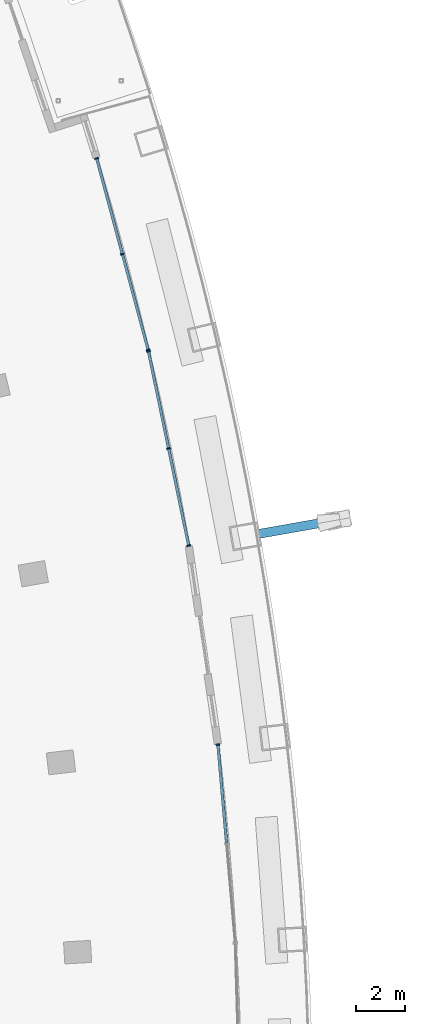
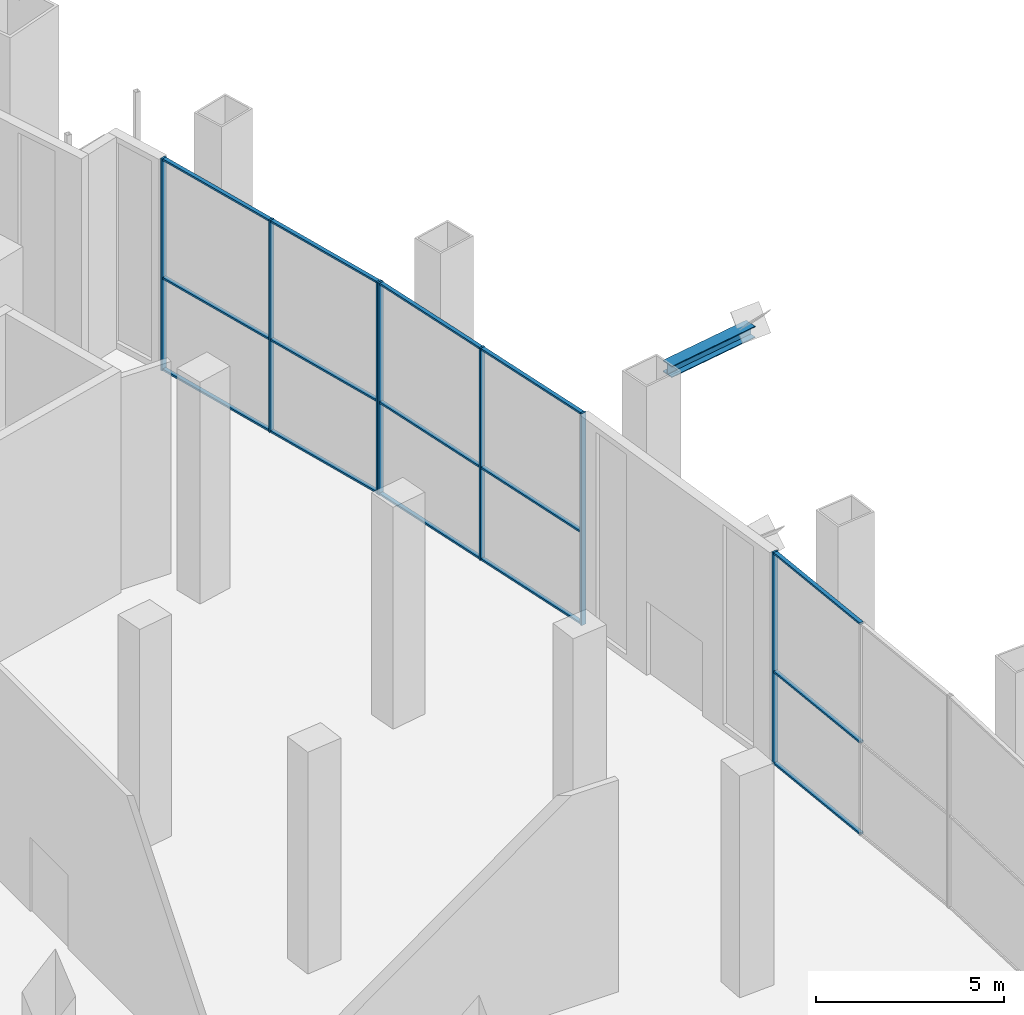
# One storey, part 13 of 27: 23 members, 3 elements without a shape of their own.
"""IFC4 building model written with IfcOpenShell, lengths in metres."""

import ifcopenshell
import ifcopenshell.guid

model = None  # the IFC model being written
_history = None  # IfcOwnerHistory: only IFC2X3 demands one
_inside = {}  # id of a spatial element -> (the spatial element, [elements in it])
_under = {}  # id of a project, library or spatial element -> (it, [spatial elements below it])
_declared = {}  # id of a project -> (the project, [libraries it declares])
_typed = {}  # id of a type object -> (the type object, [elements of that type])
_made_of = {}  # id of a material, layer set ... -> (it, [elements and type objects made of it])


def new_model(schema):
    """Start an empty IFC model of exactly this schema.

    Asked for "IFC4X3", IfcOpenShell would pick the latest addendum, in which some entities
    have other attributes; the version numbers below select the first issue.
    IFC2X3 requires an IfcOwnerHistory on every rooted entity: one is made here for all.
    """
    global model, _history
    if schema == "IFC4X3":
        model = ifcopenshell.file(schema_version=(4, 3, 0, 0))
    else:
        model = ifcopenshell.file(schema=schema)
    _inside.clear()
    _under.clear()
    _declared.clear()
    _typed.clear()
    _made_of.clear()
    _history = None
    if model.schema == "IFC2X3":
        org = make("IfcOrganization", Name="unknown")
        user = make(
            "IfcPersonAndOrganization",
            ThePerson=make("IfcPerson", FamilyName="unknown"),
            TheOrganization=org,
        )
        app = make(
            "IfcApplication",
            ApplicationDeveloper=org,
            Version="unknown",
            ApplicationFullName="unknown",
            ApplicationIdentifier="unknown",
        )
        _history = make(
            "IfcOwnerHistory",
            OwningUser=user,
            OwningApplication=app,
            ChangeAction="ADDED",
            CreationDate=0,
        )
    return model


def make(cls, **values):
    """One entity of the class cls with the attributes given. An attribute that is None is left unset."""
    return model.create_entity(
        cls, **{name: value for name, value in values.items() if value is not None}
    )


def rooted(cls, **values):
    """An entity with a GlobalId (a new one), such as an element, a storey or a relation."""
    return make(cls, GlobalId=ifcopenshell.guid.new(), OwnerHistory=_history, **values)


def si_unit(unit_type, name, prefix=None):
    """IfcSIUnit, for example si_unit("LENGTHUNIT", "METRE", prefix="MILLI")."""
    return make("IfcSIUnit", UnitType=unit_type, Prefix=prefix, Name=name)


def assignment(units):
    """IfcUnitAssignment: the units of a project."""
    return None if units is None else make("IfcUnitAssignment", Units=units)


def point(xyz):
    """IfcCartesianPoint."""
    return None if xyz is None else make("IfcCartesianPoint", Coordinates=xyz)


def direction(xyz):
    """IfcDirection."""
    return None if xyz is None else make("IfcDirection", DirectionRatios=xyz)


def frame(location, z_axis=None, x_axis=None):
    """IfcAxis2Placement3D, a coordinate frame: its origin and axes. An axis left out is left unset."""
    return make(
        "IfcAxis2Placement3D",
        Location=point(location),
        Axis=direction(z_axis),
        RefDirection=direction(x_axis),
    )


def frame_2d(location, x_axis=None):
    """IfcAxis2Placement2D, a coordinate frame in the plane: its origin and x axis."""
    return make(
        "IfcAxis2Placement2D", Location=point(location), RefDirection=direction(x_axis)
    )


def origin():
    """The frame at (0, 0, 0) with its axes left unset."""
    return frame((0.0, 0.0, 0.0))


def origin_2d():
    """The frame at (0, 0) in the plane with its x axis left unset."""
    return frame_2d((0.0, 0.0))


def place(relative_to, where):
    """IfcLocalPlacement: puts the frame where relative to a parent placement (None: the world)."""
    return make(
        "IfcLocalPlacement", PlacementRelTo=relative_to, RelativePlacement=where
    )


def context(
    kind, dimensions, precision=None, world=None, true_north=None, identifier=None
):
    """IfcGeometricRepresentationContext, for example the 3D "Model" context."""
    return make(
        "IfcGeometricRepresentationContext",
        ContextIdentifier=identifier,
        ContextType=kind,
        CoordinateSpaceDimension=dimensions,
        Precision=precision,
        WorldCoordinateSystem=world,
        TrueNorth=true_north,
    )


def subcontext(parent, identifier, kind, view, scale=None):
    """IfcGeometricRepresentationSubContext, for example "Body" below "Model"."""
    return make(
        "IfcGeometricRepresentationSubContext",
        ContextIdentifier=identifier,
        ContextType=kind,
        ParentContext=parent,
        TargetScale=scale,
        TargetView=view,
    )


def project(units=None, contexts=None):
    """IfcProject with its units and contexts."""
    return rooted(
        "IfcProject",
        Name="project",
        RepresentationContexts=contexts,
        UnitsInContext=assignment(units),
    )


def spatial(cls, under=None, at=None, **own):
    """A site, building, storey or space (cls), placed at a placement, below another one or the project."""
    s = rooted(cls, ObjectPlacement=at, **own)
    if under is not None:
        _under.setdefault(under.id(), (under, []))[1].append(s)
    return s


def profile(cls, at=None, kind="AREA", **sizes):
    """A parametric profile (cls). Its sizes go by their IFC names, for example OverallWidth=200.0."""
    return make(cls, ProfileType=kind, Position=at, **sizes)


def rectangle(**sizes):
    """IfcRectangleProfileDef."""
    return profile("IfcRectangleProfileDef", **sizes)


def i_section(**sizes):
    """IfcIShapeProfileDef."""
    return profile("IfcIShapeProfileDef", **sizes)


def extrude(swept, where, along, depth):
    """IfcExtrudedAreaSolid: the profile swept, set in the frame where, extruded along a direction by depth."""
    return make(
        "IfcExtrudedAreaSolid",
        SweptArea=swept,
        Position=where,
        ExtrudedDirection=direction(along),
        Depth=depth,
    )


def shape(context_of_items, identifier, shape_type, items):
    """IfcShapeRepresentation: the items that make up one representation, for example the "Body"."""
    return make(
        "IfcShapeRepresentation",
        ContextOfItems=context_of_items,
        RepresentationIdentifier=identifier,
        RepresentationType=shape_type,
        Items=items,
    )


def material(Name=None, Category=None):
    """IfcMaterial."""
    return make("IfcMaterial", Name=Name, Category=Category)


def layer(
    of_material, thickness, ventilated=None, Name=None, Category=None, Priority=None
):
    """IfcMaterialLayer: one layer of a wall or slab, of a material (None: an air gap)."""
    return make(
        "IfcMaterialLayer",
        Material=of_material,
        LayerThickness=thickness,
        IsVentilated=ventilated,
        Name=Name,
        Category=Category,
        Priority=Priority,
    )


def layer_set(layers, Name=None):
    """IfcMaterialLayerSet."""
    return make("IfcMaterialLayerSet", MaterialLayers=layers, LayerSetName=Name)


def material_profile(
    of_material, cross_section, Name=None, Category=None, Priority=None
):
    """IfcMaterialProfile: a cross section and its material."""
    return make(
        "IfcMaterialProfile",
        Name=Name,
        Material=of_material,
        Profile=cross_section,
        Priority=Priority,
        Category=Category,
    )


def profile_set(profiles, Name=None, composite=None):
    """IfcMaterialProfileSet."""
    return make(
        "IfcMaterialProfileSet",
        Name=Name,
        MaterialProfiles=profiles,
        CompositeProfile=composite,
    )


def made_of(thing, what):
    """Note that an element or type object is made of a material, layer set ...; save() writes the relation."""
    if what is not None:
        _made_of.setdefault(what.id(), (what, []))[1].append(thing)
    return thing


def type_object(cls, material=None, **own):
    """A type object (cls), such as IfcWallType, which elements share."""
    return made_of(rooted(cls, **own), material)


def element(
    cls,
    number,
    at=None,
    inside=None,
    cuts=None,
    type_object=None,
    material=None,
    context=None,
    identifier="Body",
    shape_type=None,
    held_by="IfcProductDefinitionShape",
    body=None,
    shapes=None,
    **own,
):
    """One element of the class cls, such as IfcWall. Its Tag is "e" and its number.

    at: its placement. inside: the storey or other place that contains it. cuts: it is an
    opening in that element (IfcRelVoidsElement). A single representation is given by context,
    identifier, shape_type and body (its items); several are given by shapes. held_by: the class
    of the entity that holds the representations. save() writes the other relations.
    """
    e = rooted(cls, Tag="e%d" % number, ObjectPlacement=at, **own)
    if body is not None:
        shapes = [shape(context, identifier, shape_type, body)]
    if shapes is not None:
        e.Representation = make(held_by, Representations=shapes)
    if inside is not None:
        _inside.setdefault(inside.id(), (inside, []))[1].append(e)
    if cuts is not None:
        rooted(
            "IfcRelVoidsElement", RelatingBuildingElement=cuts, RelatedOpeningElement=e
        )
    if type_object is not None:
        _typed.setdefault(type_object.id(), (type_object, []))[1].append(e)
    return made_of(e, material)


def aggregate(whole, parts):
    """IfcRelAggregates: a whole, such as a stair, and the parts it consists of."""
    return rooted("IfcRelAggregates", RelatingObject=whole, RelatedObjects=parts)


def save(model, path):
    """Write the relations noted so far, then the file.

    IfcRelAggregates (storeys below a building ...), IfcRelContainedInSpatialStructure (elements
    in a storey), IfcRelDefinesByType, IfcRelAssociatesMaterial and IfcRelDeclares: one each for
    every whole, place, type object, material and project.
    """
    for whole, parts in _under.values():
        aggregate(whole, parts)
    for where, things in _inside.values():
        rooted(
            "IfcRelContainedInSpatialStructure",
            RelatedElements=things,
            RelatingStructure=where,
        )
    for kind, things in _typed.values():
        rooted("IfcRelDefinesByType", RelatedObjects=things, RelatingType=kind)
    for what, things in _made_of.values():
        rooted("IfcRelAssociatesMaterial", RelatedObjects=things, RelatingMaterial=what)
    for by, libraries in _declared.values():
        rooted("IfcRelDeclares", RelatingContext=by, RelatedDefinitions=libraries)
    model.write(path)


model = new_model("IFC4")

# Units and contexts
model_context = context("Model", 3, precision=1e-05, world=origin(), true_north=direction((0.0, 1.0)))
body_context = subcontext(model_context, "Body", "Model", "MODEL_VIEW")
ifc_project = project(units=[si_unit("LENGTHUNIT", "METRE"), si_unit("AREAUNIT", "SQUARE_METRE"), si_unit("VOLUMEUNIT", "CUBIC_METRE"), si_unit("PLANEANGLEUNIT", "RADIAN"), si_unit("MASSUNIT", "GRAM", prefix="KILO")], contexts=[model_context])

# Site, building, storey
site_placement = place(None, origin())
site = spatial("IfcSite", under=ifc_project, at=site_placement, CompositionType="ELEMENT")
building_placement = place(site_placement, origin())
building = spatial("IfcBuilding", under=site, at=building_placement, Name="Alderwake Tower", CompositionType="ELEMENT")
storey_placement = place(building_placement, frame((0.0, 0.0, 75.199951171875)))
storey = spatial("IfcBuildingStorey", under=building, at=storey_placement, Name="L18", CompositionType="ELEMENT", Elevation=75.199951171875)

# Member
ifc_material_1 = material(Name="Steel ASTM A992 Grade 50", Category="steel")
ifc_material_profile_1 = material_profile(ifc_material_1, i_section(OverallWidth=0.3740234375, OverallDepth=0.372314453125, WebThickness=0.016357421875, FlangeThickness=0.026123046875, at=origin_2d()), Name="W14X132")
ifc_profile_set_1 = profile_set([ifc_material_profile_1], Name="Steel ASTM A992 Grade 50")
member_type_1 = type_object("IfcMemberType", Name="Brace node stub W14X132", PredefinedType="MEMBER", material=ifc_profile_set_1)
member_1_placement = place(storey_placement, frame((60.569580078125, 85.85400390625, 6.993896484375), z_axis=(0.984737683901, 0.174045091589, 0.0), x_axis=(-0.174045091589, 0.984737683901, 0.0)))
element("IfcMember", 1, at=member_1_placement, inside=storey, type_object=member_type_1, Name="Brace node stub BS.FR10-C5.824", PredefinedType="MEMBER", context=body_context, shape_type="SweptSolid", body=[
    extrude(i_section(OverallWidth=0.3740234375, OverallDepth=0.372314453125, WebThickness=0.016357421875, FlangeThickness=0.026123046875, at=origin_2d()), origin(), (0.0, 0.0, 1.0), 2.895263671875),
])

# Curtain wall, member
ifc_material_2 = material(Name="Bronze tinted glass in aluminium frame", Category="aluminium")
ifc_layer = layer(ifc_material_2, 0.199951171875)
ifc_layer_set = layer_set([ifc_layer], Name="Curtain wall CW3 sky garden glazing")
curtain_wall_type = type_object("IfcCurtainWallType", Name="Curtain wall CW3 sky garden glazing", PredefinedType="NOTDEFINED", material=ifc_layer_set)
curtain_wall_1_placement = place(storey_placement, origin())
curtain_wall_1 = element("IfcCurtainWall", 2, at=curtain_wall_1_placement, inside=storey, type_object=curtain_wall_type, Name="Curtain wall 8", PredefinedType="NOTDEFINED")
ifc_material_3 = material(Name="Aluminium bronze anodised", Category="aluminium")
ifc_material_profile_2 = material_profile(ifc_material_3, rectangle(XDim=0.159912109375, YDim=0.06005859375, at=origin_2d()), Name="Mullion MUC 60x160")
ifc_profile_set_2 = profile_set([ifc_material_profile_2], Name="Aluminium bronze anodised")
member_type_2 = type_object("IfcMemberType", Name="Mullion MUC 60x160", PredefinedType="MULLION", material=ifc_profile_set_2)
member_2_placement = place(storey_placement, frame((58.90185546875, 77.25048828125, 0.0), z_axis=(0.0, 0.0, 1.0), x_axis=(-0.996175004686, -0.087380547254, 0.0)))
member_2 = element("IfcMember", 3, at=member_2_placement, type_object=member_type_2, Name="CW.08 mullion 3", PredefinedType="MULLION", context=body_context, shape_type="SweptSolid", body=[
    extrude(rectangle(XDim=0.159912109375, YDim=0.06005859375, at=origin_2d()), origin(), (0.0, 0.0, 1.0), 6.880126953125),
])

# Curtain wall, members
curtain_wall_2_placement = place(storey_placement, origin())
curtain_wall_2 = element("IfcCurtainWall", 4, at=curtain_wall_2_placement, inside=storey, type_object=curtain_wall_type, Name="Curtain wall 9", PredefinedType="NOTDEFINED")
member_3_placement = place(storey_placement, frame((57.7080078125, 85.376953125, 0.0), z_axis=(0.0, 0.0, 1.0), x_axis=(-0.979232321854, -0.202741361928, 0.0)))
member_3 = element("IfcMember", 5, at=member_3_placement, type_object=member_type_2, Name="CW.09 mullion 1", PredefinedType="MULLION", context=body_context, shape_type="SweptSolid", body=[
    extrude(rectangle(XDim=0.159912109375, YDim=0.06005859375, at=origin_2d()), origin(), (0.0, 0.0, 1.0), 6.880126953125),
])
member_4_placement = place(storey_placement, frame((56.886962890625, 89.3427734375, 0.0), z_axis=(0.0, 0.0, 1.0), x_axis=(-0.979232321854, -0.202741361928, 0.0)))
member_4 = element("IfcMember", 6, at=member_4_placement, type_object=member_type_2, Name="CW.09 mullion 2", PredefinedType="MULLION", context=body_context, shape_type="SweptSolid", body=[
    extrude(rectangle(XDim=0.159912109375, YDim=0.06005859375, at=origin_2d()), origin(), (0.0, 0.0, 1.0), 6.880126953125),
])
member_5_placement = place(storey_placement, frame((56.06591796875, 93.308349609375, 0.0), z_axis=(0.0, 0.0, 1.0), x_axis=(-0.979232321854, -0.202741361928, 0.0)))
member_5 = element("IfcMember", 7, at=member_5_placement, type_object=member_type_2, Name="CW.09 mullion 3", PredefinedType="MULLION", context=body_context, shape_type="SweptSolid", body=[
    extrude(rectangle(XDim=0.159912109375, YDim=0.06005859375, at=origin_2d()), origin(), (0.0, 0.0, 1.0), 6.880126953125),
])

curtain_wall_3_placement = place(storey_placement, origin())
curtain_wall_3 = element("IfcCurtainWall", 8, at=curtain_wall_3_placement, inside=storey, type_object=curtain_wall_type, Name="Curtain wall 10", PredefinedType="NOTDEFINED")
member_6_placement = place(storey_placement, frame((56.052734375, 93.36376953125, 0.0), z_axis=(0.0, 0.0, 1.0), x_axis=(-0.965744616484, -0.259494384779, 0.0)))
member_6 = element("IfcMember", 9, at=member_6_placement, type_object=member_type_2, Name="CW.10 mullion 1", PredefinedType="MULLION", context=body_context, shape_type="SweptSolid", body=[
    extrude(rectangle(XDim=0.159912109375, YDim=0.06005859375, at=origin_2d()), origin(), (0.0, 0.0, 1.0), 6.880126953125),
])
member_7_placement = place(storey_placement, frame((55.001953125, 97.27490234375, 0.0), z_axis=(0.0, 0.0, 1.0), x_axis=(-0.965744616484, -0.259494384779, 0.0)))
member_7 = element("IfcMember", 10, at=member_7_placement, type_object=member_type_2, Name="CW.10 mullion 2", PredefinedType="MULLION", context=body_context, shape_type="SweptSolid", body=[
    extrude(rectangle(XDim=0.159912109375, YDim=0.06005859375, at=origin_2d()), origin(), (0.0, 0.0, 1.0), 6.880126953125),
])
member_8_placement = place(storey_placement, frame((53.950927734375, 101.18603515625, 0.0), z_axis=(0.0, 0.0, 1.0), x_axis=(-0.965744616484, -0.259494384779, 0.0)))
member_8 = element("IfcMember", 11, at=member_8_placement, type_object=member_type_2, Name="CW.10 mullion 3", PredefinedType="MULLION", context=body_context, shape_type="SweptSolid", body=[
    extrude(rectangle(XDim=0.159912109375, YDim=0.06005859375, at=origin_2d()), origin(), (0.0, 0.0, 1.0), 6.880126953125),
])

# Member
ifc_material_4 = material(Name="Aluminium bronze anodised", Category="aluminium")
ifc_material_profile_3 = material_profile(ifc_material_4, rectangle(XDim=0.1201171875, YDim=0.06005859375, at=origin_2d()), Name="Transom TRC 60x120")
ifc_profile_set_3 = profile_set([ifc_material_profile_3], Name="Aluminium bronze anodised")
member_type_3 = type_object("IfcMemberType", Name="Transom TRC 60x120", PredefinedType="USERDEFINED", material=ifc_profile_set_3)
member_9_placement = place(storey_placement, frame((59.253173828125, 73.245849609375, 0.030029296875), z_axis=(-0.08737948646, 0.996175097734, 0.0), x_axis=(-0.996175097734, -0.08737948646, 0.0)))
member_9 = element("IfcMember", 12, at=member_9_placement, type_object=member_type_3, Name="CW.08 transom 2.1", ObjectType="TRANSOM", PredefinedType="USERDEFINED", context=body_context, shape_type="SweptSolid", body=[
    extrude(rectangle(XDim=0.1201171875, YDim=0.06005859375, at=origin_2d()), origin(), (0.0, 0.0, 1.0), 3.989990234375),
])

member_10_placement = place(storey_placement, frame((59.253173828125, 73.245849609375, 3.0), z_axis=(-0.08737948646, 0.996175097734, 0.0), x_axis=(-0.996175097734, -0.08737948646, 0.0)))
member_10 = element("IfcMember", 13, at=member_10_placement, type_object=member_type_3, Name="CW.08 transom 2.2", ObjectType="TRANSOM", PredefinedType="USERDEFINED", context=body_context, shape_type="SweptSolid", body=[
    extrude(rectangle(XDim=0.1201171875, YDim=0.06005859375, at=origin_2d()), origin(), (0.0, 0.0, 1.0), 3.989990234375),
])

member_11_placement = place(storey_placement, frame((59.253173828125, 73.245849609375, 6.85009765625), z_axis=(-0.08737948646, 0.996175097734, 0.0), x_axis=(-0.996175097734, -0.08737948646, 0.0)))
member_11 = element("IfcMember", 14, at=member_11_placement, type_object=member_type_3, Name="CW.08 transom 2.3", ObjectType="TRANSOM", PredefinedType="USERDEFINED", context=body_context, shape_type="SweptSolid", body=[
    extrude(rectangle(XDim=0.1201171875, YDim=0.06005859375, at=origin_2d()), origin(), (0.0, 0.0, 1.0), 3.989990234375),
])

aggregate(curtain_wall_1, [member_2, member_9, member_10, member_11])

member_12_placement = place(storey_placement, frame((57.7021484375, 85.40625, 0.030029296875), z_axis=(-0.202783658702, 0.97922356373, 0.0), x_axis=(-0.97922356373, -0.202783658702, 0.0)))
member_12 = element("IfcMember", 15, at=member_12_placement, type_object=member_type_3, Name="CW.09 transom 1.1", ObjectType="TRANSOM", PredefinedType="USERDEFINED", context=body_context, shape_type="SweptSolid", body=[
    extrude(rectangle(XDim=0.1201171875, YDim=0.06005859375, at=origin_2d()), origin(), (0.0, 0.0, 1.0), 3.989990234375),
])

member_13_placement = place(storey_placement, frame((57.7021484375, 85.40625, 3.0), z_axis=(-0.202783658702, 0.97922356373, 0.0), x_axis=(-0.97922356373, -0.202783658702, 0.0)))
member_13 = element("IfcMember", 16, at=member_13_placement, type_object=member_type_3, Name="CW.09 transom 1.2", ObjectType="TRANSOM", PredefinedType="USERDEFINED", context=body_context, shape_type="SweptSolid", body=[
    extrude(rectangle(XDim=0.1201171875, YDim=0.06005859375, at=origin_2d()), origin(), (0.0, 0.0, 1.0), 3.989990234375),
])

member_14_placement = place(storey_placement, frame((57.7021484375, 85.40625, 6.85009765625), z_axis=(-0.202783658702, 0.97922356373, 0.0), x_axis=(-0.97922356373, -0.202783658702, 0.0)))
member_14 = element("IfcMember", 17, at=member_14_placement, type_object=member_type_3, Name="CW.09 transom 1.3", ObjectType="TRANSOM", PredefinedType="USERDEFINED", context=body_context, shape_type="SweptSolid", body=[
    extrude(rectangle(XDim=0.1201171875, YDim=0.06005859375, at=origin_2d()), origin(), (0.0, 0.0, 1.0), 3.989990234375),
])

member_15_placement = place(storey_placement, frame((56.880859375, 89.3720703125, 0.030029296875), z_axis=(-0.202724983817, 0.979235712654, 0.0), x_axis=(-0.979235712654, -0.202724983817, 0.0)))
member_15 = element("IfcMember", 18, at=member_15_placement, type_object=member_type_3, Name="CW.09 transom 2.1", ObjectType="TRANSOM", PredefinedType="USERDEFINED", context=body_context, shape_type="SweptSolid", body=[
    extrude(rectangle(XDim=0.1201171875, YDim=0.06005859375, at=origin_2d()), origin(), (0.0, 0.0, 1.0), 3.98974609375),
])

member_16_placement = place(storey_placement, frame((56.880859375, 89.3720703125, 3.0), z_axis=(-0.202724983817, 0.979235712654, 0.0), x_axis=(-0.979235712654, -0.202724983817, 0.0)))
member_16 = element("IfcMember", 19, at=member_16_placement, type_object=member_type_3, Name="CW.09 transom 2.2", ObjectType="TRANSOM", PredefinedType="USERDEFINED", context=body_context, shape_type="SweptSolid", body=[
    extrude(rectangle(XDim=0.1201171875, YDim=0.06005859375, at=origin_2d()), origin(), (0.0, 0.0, 1.0), 3.98974609375),
])

member_17_placement = place(storey_placement, frame((56.880859375, 89.3720703125, 6.85009765625), z_axis=(-0.202724983817, 0.979235712654, 0.0), x_axis=(-0.979235712654, -0.202724983817, 0.0)))
member_17 = element("IfcMember", 20, at=member_17_placement, type_object=member_type_3, Name="CW.09 transom 2.3", ObjectType="TRANSOM", PredefinedType="USERDEFINED", context=body_context, shape_type="SweptSolid", body=[
    extrude(rectangle(XDim=0.1201171875, YDim=0.06005859375, at=origin_2d()), origin(), (0.0, 0.0, 1.0), 3.98974609375),
])

aggregate(curtain_wall_2, [member_3, member_4, member_5, member_12, member_13, member_14, member_15, member_16, member_17])

member_18_placement = place(storey_placement, frame((56.044921875, 93.392822265625, 0.030029296875), z_axis=(-0.259444586125, 0.965757995944, 0.0), x_axis=(-0.965757995944, -0.259444586125, 0.0)))
member_18 = element("IfcMember", 21, at=member_18_placement, type_object=member_type_3, Name="CW.10 transom 1.1", ObjectType="TRANSOM", PredefinedType="USERDEFINED", context=body_context, shape_type="SweptSolid", body=[
    extrude(rectangle(XDim=0.1201171875, YDim=0.06005859375, at=origin_2d()), origin(), (0.0, 0.0, 1.0), 3.989990234375),
])

member_19_placement = place(storey_placement, frame((56.044921875, 93.392822265625, 3.0), z_axis=(-0.259444586125, 0.965757995944, 0.0), x_axis=(-0.965757995944, -0.259444586125, 0.0)))
member_19 = element("IfcMember", 22, at=member_19_placement, type_object=member_type_3, Name="CW.10 transom 1.2", ObjectType="TRANSOM", PredefinedType="USERDEFINED", context=body_context, shape_type="SweptSolid", body=[
    extrude(rectangle(XDim=0.1201171875, YDim=0.06005859375, at=origin_2d()), origin(), (0.0, 0.0, 1.0), 3.989990234375),
])

member_20_placement = place(storey_placement, frame((56.044921875, 93.392822265625, 6.85009765625), z_axis=(-0.259444586125, 0.965757995944, 0.0), x_axis=(-0.965757995944, -0.259444586125, 0.0)))
member_20 = element("IfcMember", 23, at=member_20_placement, type_object=member_type_3, Name="CW.10 transom 1.3", ObjectType="TRANSOM", PredefinedType="USERDEFINED", context=body_context, shape_type="SweptSolid", body=[
    extrude(rectangle(XDim=0.1201171875, YDim=0.06005859375, at=origin_2d()), origin(), (0.0, 0.0, 1.0), 3.989990234375),
])

member_21_placement = place(storey_placement, frame((54.994140625, 97.303955078125, 0.030029296875), z_axis=(-0.259501655752, 0.965742662753, 0.0), x_axis=(-0.965742662753, -0.259501655752, 0.0)))
member_21 = element("IfcMember", 24, at=member_21_placement, type_object=member_type_3, Name="CW.10 transom 2.1", ObjectType="TRANSOM", PredefinedType="USERDEFINED", context=body_context, shape_type="SweptSolid", body=[
    extrude(rectangle(XDim=0.1201171875, YDim=0.06005859375, at=origin_2d()), origin(), (0.0, 0.0, 1.0), 3.989990234375),
])

member_22_placement = place(storey_placement, frame((54.994140625, 97.303955078125, 3.0), z_axis=(-0.259501655752, 0.965742662753, 0.0), x_axis=(-0.965742662753, -0.259501655752, 0.0)))
member_22 = element("IfcMember", 25, at=member_22_placement, type_object=member_type_3, Name="CW.10 transom 2.2", ObjectType="TRANSOM", PredefinedType="USERDEFINED", context=body_context, shape_type="SweptSolid", body=[
    extrude(rectangle(XDim=0.1201171875, YDim=0.06005859375, at=origin_2d()), origin(), (0.0, 0.0, 1.0), 3.989990234375),
])

member_23_placement = place(storey_placement, frame((54.994140625, 97.303955078125, 6.85009765625), z_axis=(-0.259501655752, 0.965742662753, 0.0), x_axis=(-0.965742662753, -0.259501655752, 0.0)))
member_23 = element("IfcMember", 26, at=member_23_placement, type_object=member_type_3, Name="CW.10 transom 2.3", ObjectType="TRANSOM", PredefinedType="USERDEFINED", context=body_context, shape_type="SweptSolid", body=[
    extrude(rectangle(XDim=0.1201171875, YDim=0.06005859375, at=origin_2d()), origin(), (0.0, 0.0, 1.0), 3.989990234375),
])

aggregate(curtain_wall_3, [member_6, member_7, member_8, member_18, member_19, member_20, member_21, member_22, member_23])

save(model, "model.ifc")
